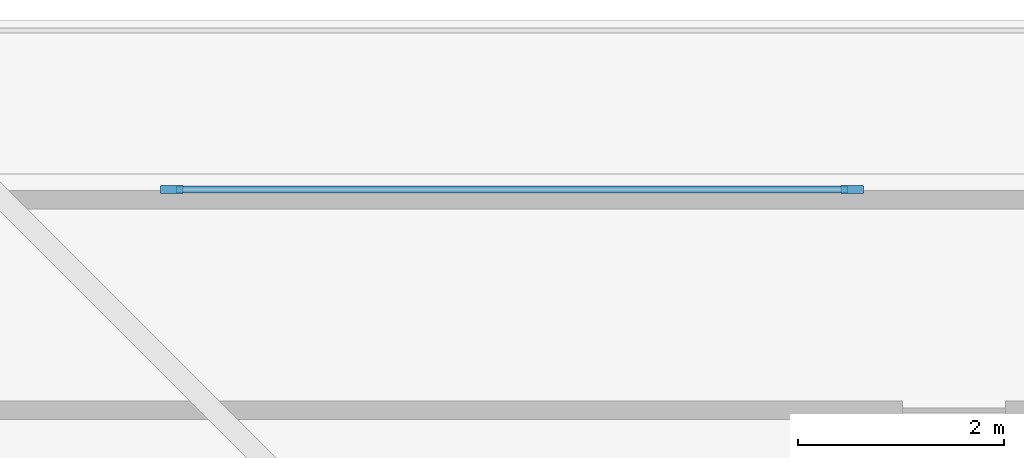
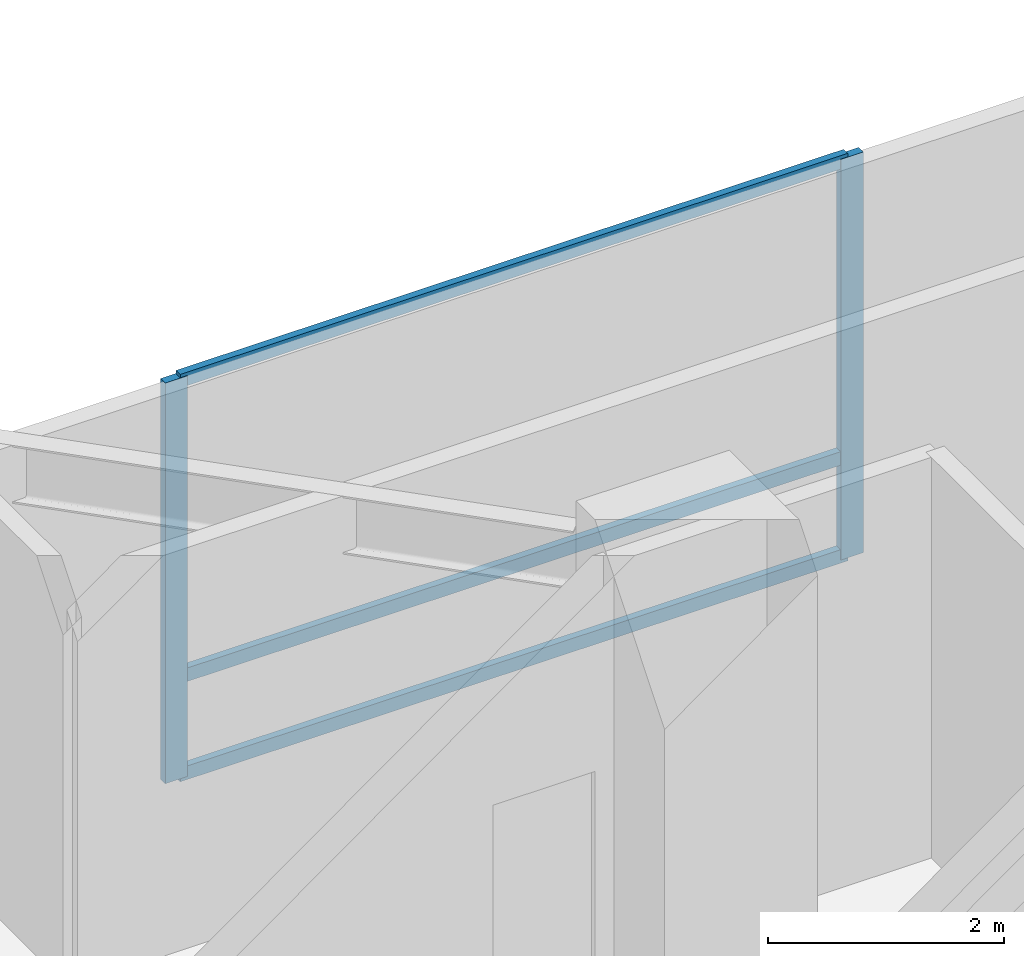
# One storey, part 8 of 20: 5 members, 1 element without a shape of its own.
"""IFC4 building model written with IfcOpenShell, lengths in metres."""

import ifcopenshell
import ifcopenshell.guid

model = None  # the IFC model being written
_history = None  # IfcOwnerHistory: only IFC2X3 demands one
_inside = {}  # id of a spatial element -> (the spatial element, [elements in it])
_under = {}  # id of a project, library or spatial element -> (it, [spatial elements below it])
_declared = {}  # id of a project -> (the project, [libraries it declares])
_typed = {}  # id of a type object -> (the type object, [elements of that type])
_made_of = {}  # id of a material, layer set ... -> (it, [elements and type objects made of it])


def new_model(schema):
    """Start an empty IFC model of exactly this schema.

    Asked for "IFC4X3", IfcOpenShell would pick the latest addendum, in which some entities
    have other attributes; the version numbers below select the first issue.
    IFC2X3 requires an IfcOwnerHistory on every rooted entity: one is made here for all.
    """
    global model, _history
    if schema == "IFC4X3":
        model = ifcopenshell.file(schema_version=(4, 3, 0, 0))
    else:
        model = ifcopenshell.file(schema=schema)
    _inside.clear()
    _under.clear()
    _declared.clear()
    _typed.clear()
    _made_of.clear()
    _history = None
    if model.schema == "IFC2X3":
        org = make("IfcOrganization", Name="unknown")
        user = make(
            "IfcPersonAndOrganization",
            ThePerson=make("IfcPerson", FamilyName="unknown"),
            TheOrganization=org,
        )
        app = make(
            "IfcApplication",
            ApplicationDeveloper=org,
            Version="unknown",
            ApplicationFullName="unknown",
            ApplicationIdentifier="unknown",
        )
        _history = make(
            "IfcOwnerHistory",
            OwningUser=user,
            OwningApplication=app,
            ChangeAction="ADDED",
            CreationDate=0,
        )
    return model


def make(cls, **values):
    """One entity of the class cls with the attributes given. An attribute that is None is left unset."""
    return model.create_entity(
        cls, **{name: value for name, value in values.items() if value is not None}
    )


def rooted(cls, **values):
    """An entity with a GlobalId (a new one), such as an element, a storey or a relation."""
    return make(cls, GlobalId=ifcopenshell.guid.new(), OwnerHistory=_history, **values)


def si_unit(unit_type, name, prefix=None):
    """IfcSIUnit, for example si_unit("LENGTHUNIT", "METRE", prefix="MILLI")."""
    return make("IfcSIUnit", UnitType=unit_type, Prefix=prefix, Name=name)


def assignment(units):
    """IfcUnitAssignment: the units of a project."""
    return None if units is None else make("IfcUnitAssignment", Units=units)


def point(xyz):
    """IfcCartesianPoint."""
    return None if xyz is None else make("IfcCartesianPoint", Coordinates=xyz)


def direction(xyz):
    """IfcDirection."""
    return None if xyz is None else make("IfcDirection", DirectionRatios=xyz)


def frame(location, z_axis=None, x_axis=None):
    """IfcAxis2Placement3D, a coordinate frame: its origin and axes. An axis left out is left unset."""
    return make(
        "IfcAxis2Placement3D",
        Location=point(location),
        Axis=direction(z_axis),
        RefDirection=direction(x_axis),
    )


def frame_2d(location, x_axis=None):
    """IfcAxis2Placement2D, a coordinate frame in the plane: its origin and x axis."""
    return make(
        "IfcAxis2Placement2D", Location=point(location), RefDirection=direction(x_axis)
    )


def origin():
    """The frame at (0, 0, 0) with its axes left unset."""
    return frame((0.0, 0.0, 0.0))


def origin_2d():
    """The frame at (0, 0) in the plane with its x axis left unset."""
    return frame_2d((0.0, 0.0))


def place(relative_to, where):
    """IfcLocalPlacement: puts the frame where relative to a parent placement (None: the world)."""
    return make(
        "IfcLocalPlacement", PlacementRelTo=relative_to, RelativePlacement=where
    )


def context(
    kind, dimensions, precision=None, world=None, true_north=None, identifier=None
):
    """IfcGeometricRepresentationContext, for example the 3D "Model" context."""
    return make(
        "IfcGeometricRepresentationContext",
        ContextIdentifier=identifier,
        ContextType=kind,
        CoordinateSpaceDimension=dimensions,
        Precision=precision,
        WorldCoordinateSystem=world,
        TrueNorth=true_north,
    )


def subcontext(parent, identifier, kind, view, scale=None):
    """IfcGeometricRepresentationSubContext, for example "Body" below "Model"."""
    return make(
        "IfcGeometricRepresentationSubContext",
        ContextIdentifier=identifier,
        ContextType=kind,
        ParentContext=parent,
        TargetScale=scale,
        TargetView=view,
    )


def project(units=None, contexts=None):
    """IfcProject with its units and contexts."""
    return rooted(
        "IfcProject",
        Name="project",
        RepresentationContexts=contexts,
        UnitsInContext=assignment(units),
    )


def spatial(cls, under=None, at=None, **own):
    """A site, building, storey or space (cls), placed at a placement, below another one or the project."""
    s = rooted(cls, ObjectPlacement=at, **own)
    if under is not None:
        _under.setdefault(under.id(), (under, []))[1].append(s)
    return s


def profile(cls, at=None, kind="AREA", **sizes):
    """A parametric profile (cls). Its sizes go by their IFC names, for example OverallWidth=200.0."""
    return make(cls, ProfileType=kind, Position=at, **sizes)


def rectangle(**sizes):
    """IfcRectangleProfileDef."""
    return profile("IfcRectangleProfileDef", **sizes)


def extrude(swept, where, along, depth):
    """IfcExtrudedAreaSolid: the profile swept, set in the frame where, extruded along a direction by depth."""
    return make(
        "IfcExtrudedAreaSolid",
        SweptArea=swept,
        Position=where,
        ExtrudedDirection=direction(along),
        Depth=depth,
    )


def shape(context_of_items, identifier, shape_type, items):
    """IfcShapeRepresentation: the items that make up one representation, for example the "Body"."""
    return make(
        "IfcShapeRepresentation",
        ContextOfItems=context_of_items,
        RepresentationIdentifier=identifier,
        RepresentationType=shape_type,
        Items=items,
    )


def source(mapping_origin, context_of_items, identifier, shape_type, items):
    """IfcRepresentationMap: a shape defined once, which mapped items show again and again."""
    return make(
        "IfcRepresentationMap",
        MappingOrigin=mapping_origin,
        MappedRepresentation=shape(context_of_items, identifier, shape_type, items),
    )


def transform(
    local_origin,
    x_axis=None,
    y_axis=None,
    z_axis=None,
    scale=None,
    scale2=None,
    scale3=None,
    uniform=True,
):
    """IfcCartesianTransformationOperator3D, or its non-uniform kind. x_axis, y_axis, z_axis: its Axis1, 2, 3."""
    if uniform:
        return make(
            "IfcCartesianTransformationOperator3D",
            Axis1=direction(x_axis),
            Axis2=direction(y_axis),
            LocalOrigin=point(local_origin),
            Scale=scale,
            Axis3=direction(z_axis),
        )
    return make(
        "IfcCartesianTransformationOperator3DnonUniform",
        Axis1=direction(x_axis),
        Axis2=direction(y_axis),
        LocalOrigin=point(local_origin),
        Scale=scale,
        Axis3=direction(z_axis),
        Scale2=scale2,
        Scale3=scale3,
    )


def mapped(mapping_source, mapping_target):
    """IfcMappedItem: shows the shape of a source again, moved by a transform."""
    return make(
        "IfcMappedItem", MappingSource=mapping_source, MappingTarget=mapping_target
    )


def material(Name=None, Category=None):
    """IfcMaterial."""
    return make("IfcMaterial", Name=Name, Category=Category)


def layer(
    of_material, thickness, ventilated=None, Name=None, Category=None, Priority=None
):
    """IfcMaterialLayer: one layer of a wall or slab, of a material (None: an air gap)."""
    return make(
        "IfcMaterialLayer",
        Material=of_material,
        LayerThickness=thickness,
        IsVentilated=ventilated,
        Name=Name,
        Category=Category,
        Priority=Priority,
    )


def layer_set(layers, Name=None):
    """IfcMaterialLayerSet."""
    return make("IfcMaterialLayerSet", MaterialLayers=layers, LayerSetName=Name)


def material_profile(
    of_material, cross_section, Name=None, Category=None, Priority=None
):
    """IfcMaterialProfile: a cross section and its material."""
    return make(
        "IfcMaterialProfile",
        Name=Name,
        Material=of_material,
        Profile=cross_section,
        Priority=Priority,
        Category=Category,
    )


def profile_set(profiles, Name=None, composite=None):
    """IfcMaterialProfileSet."""
    return make(
        "IfcMaterialProfileSet",
        Name=Name,
        MaterialProfiles=profiles,
        CompositeProfile=composite,
    )


def made_of(thing, what):
    """Note that an element or type object is made of a material, layer set ...; save() writes the relation."""
    if what is not None:
        _made_of.setdefault(what.id(), (what, []))[1].append(thing)
    return thing


def type_object(cls, material=None, **own):
    """A type object (cls), such as IfcWallType, which elements share."""
    return made_of(rooted(cls, **own), material)


def element(
    cls,
    number,
    at=None,
    inside=None,
    cuts=None,
    type_object=None,
    material=None,
    context=None,
    identifier="Body",
    shape_type=None,
    held_by="IfcProductDefinitionShape",
    body=None,
    shapes=None,
    **own,
):
    """One element of the class cls, such as IfcWall. Its Tag is "e" and its number.

    at: its placement. inside: the storey or other place that contains it. cuts: it is an
    opening in that element (IfcRelVoidsElement). A single representation is given by context,
    identifier, shape_type and body (its items); several are given by shapes. held_by: the class
    of the entity that holds the representations. save() writes the other relations.
    """
    e = rooted(cls, Tag="e%d" % number, ObjectPlacement=at, **own)
    if body is not None:
        shapes = [shape(context, identifier, shape_type, body)]
    if shapes is not None:
        e.Representation = make(held_by, Representations=shapes)
    if inside is not None:
        _inside.setdefault(inside.id(), (inside, []))[1].append(e)
    if cuts is not None:
        rooted(
            "IfcRelVoidsElement", RelatingBuildingElement=cuts, RelatedOpeningElement=e
        )
    if type_object is not None:
        _typed.setdefault(type_object.id(), (type_object, []))[1].append(e)
    return made_of(e, material)


def aggregate(whole, parts):
    """IfcRelAggregates: a whole, such as a stair, and the parts it consists of."""
    return rooted("IfcRelAggregates", RelatingObject=whole, RelatedObjects=parts)


def save(model, path):
    """Write the relations noted so far, then the file.

    IfcRelAggregates (storeys below a building ...), IfcRelContainedInSpatialStructure (elements
    in a storey), IfcRelDefinesByType, IfcRelAssociatesMaterial and IfcRelDeclares: one each for
    every whole, place, type object, material and project.
    """
    for whole, parts in _under.values():
        aggregate(whole, parts)
    for where, things in _inside.values():
        rooted(
            "IfcRelContainedInSpatialStructure",
            RelatedElements=things,
            RelatingStructure=where,
        )
    for kind, things in _typed.values():
        rooted("IfcRelDefinesByType", RelatedObjects=things, RelatingType=kind)
    for what, things in _made_of.values():
        rooted("IfcRelAssociatesMaterial", RelatedObjects=things, RelatingMaterial=what)
    for by, libraries in _declared.values():
        rooted("IfcRelDeclares", RelatingContext=by, RelatedDefinitions=libraries)
    model.write(path)


model = new_model("IFC4")

# Units and contexts
model_context = context("Model", 3, precision=1e-05, world=origin(), true_north=direction((0.0, 1.0)))
body_context = subcontext(model_context, "Body", "Model", "MODEL_VIEW")
ifc_project = project(units=[si_unit("LENGTHUNIT", "METRE"), si_unit("AREAUNIT", "SQUARE_METRE"), si_unit("VOLUMEUNIT", "CUBIC_METRE"), si_unit("PLANEANGLEUNIT", "RADIAN"), si_unit("MASSUNIT", "GRAM", prefix="KILO"), si_unit("THERMODYNAMICTEMPERATUREUNIT", "KELVIN"), si_unit("POWERUNIT", "WATT")], contexts=[model_context])

# Site, building, storey
site_placement = place(None, origin())
site = spatial("IfcSite", under=ifc_project, at=site_placement, CompositionType="ELEMENT")
building_placement = place(site_placement, origin())
building = spatial("IfcBuilding", under=site, at=building_placement, Name="Qiaomeng Ring Towers", CompositionType="ELEMENT")
storey_placement = place(building_placement, frame((0.0, 0.0, 13.800048828125)))
storey = spatial("IfcBuildingStorey", under=building, at=storey_placement, Name="L03", CompositionType="ELEMENT", Elevation=13.800048828125)

# Curtain wall, members
ifc_material = material(Name="Fluorocarbon dark-grey aluminium", Category="aluminium")
ifc_layer = layer(ifc_material, 0.179931640625, Name="Fluorocarbon dark-grey aluminium")
ifc_layer_set = layer_set([ifc_layer], Name="Fluorocarbon dark-grey aluminium")
curtain_wall_type = type_object("IfcCurtainWallType", Name="ARC-CW-1", PredefinedType="NOTDEFINED", material=ifc_layer_set)
curtain_wall_placement = place(storey_placement, origin())
curtain_wall = element("IfcCurtainWall", 1, at=curtain_wall_placement, inside=storey, type_object=curtain_wall_type, Name="L03 Curtain Wall CW1", PredefinedType="NOTDEFINED")
ifc_material_profile_1 = material_profile(ifc_material, rectangle(XDim=0.070068359375, YDim=0.139892578125, at=origin_2d()), Name="ALU TRAN 70x140")
ifc_profile_set_1 = profile_set([ifc_material_profile_1], Name="Fluorocarbon dark-grey aluminium")
member_type_1 = type_object("IfcMemberType", Name="ARC-CWT-140", PredefinedType="USERDEFINED", material=ifc_profile_set_1)
shared_shape_1 = source(origin(), body_context, "Body", "SweptSolid", [
    extrude(rectangle(XDim=0.070068359375, YDim=0.139892578125, at=origin_2d()), origin(), (0.0, 0.0, 1.0), 6.5400390625),
])
member_1_placement = place(storey_placement, frame((34.580078125, 40.35009765625, 0.034912109375), z_axis=(1.0, 0.0, 0.0), x_axis=(0.0, 1.0, 0.0)))
member_1 = element("IfcMember", 2, at=member_1_placement, type_object=member_type_1, Name="CW1 transom 1.1", ObjectType="TRANSOM", PredefinedType="USERDEFINED", context=body_context, shape_type="MappedRepresentation", body=[
    mapped(shared_shape_1, transform((0.0, 0.0, 0.0), x_axis=(1.0, 0.0, 0.0), y_axis=(0.0, 1.0, 0.0), z_axis=(0.0, 0.0, 1.0), scale=1.0)),
])
member_2_placement = place(storey_placement, frame((34.580078125, 40.35009765625, 1.050048828125), z_axis=(1.0, 0.0, 0.0), x_axis=(0.0, 1.0, 0.0)))
member_2 = element("IfcMember", 3, at=member_2_placement, type_object=member_type_1, Name="CW1 transom 1.2", ObjectType="TRANSOM", PredefinedType="USERDEFINED", context=body_context, shape_type="MappedRepresentation", body=[
    mapped(shared_shape_1, transform((0.0, 0.0, 0.0), x_axis=(1.0, 0.0, 0.0), y_axis=(0.0, 1.0, 0.0), z_axis=(0.0, 0.0, 1.0), scale=1.0)),
])
member_3_placement = place(storey_placement, frame((34.580078125, 40.35009765625, 4.114990234375), z_axis=(1.0, 0.0, 0.0), x_axis=(0.0, 1.0, 0.0)))
member_3 = element("IfcMember", 4, at=member_3_placement, type_object=member_type_1, Name="CW1 transom 1.3", ObjectType="TRANSOM", PredefinedType="USERDEFINED", context=body_context, shape_type="MappedRepresentation", body=[
    mapped(shared_shape_1, transform((0.0, 0.0, 0.0), x_axis=(1.0, 0.0, 0.0), y_axis=(0.0, 1.0, 0.0), z_axis=(0.0, 0.0, 1.0), scale=1.0)),
])
ifc_material_profile_2 = material_profile(ifc_material, rectangle(XDim=0.080078125, YDim=0.219970703125, at=origin_2d()), Name="ALU MULL 80x220")
ifc_profile_set_2 = profile_set([ifc_material_profile_2], Name="Fluorocarbon dark-grey aluminium")
member_type_2 = type_object("IfcMemberType", Name="ARC-CWM-180", PredefinedType="MULLION", material=ifc_profile_set_2)
shared_shape_2 = source(origin(), body_context, "Body", "SweptSolid", [
    extrude(rectangle(XDim=0.080078125, YDim=0.219970703125, at=origin_2d()), origin(), (0.0, 0.0, 1.0), 4.14990234375),
])
member_4_placement = place(storey_placement, frame((34.5400390625, 40.35009765625, 0.0), z_axis=(0.0, 0.0, 1.0), x_axis=(0.0, 1.0, 0.0)))
member_4 = element("IfcMember", 5, at=member_4_placement, type_object=member_type_2, Name="CW1 mullion 1", PredefinedType="MULLION", context=body_context, shape_type="MappedRepresentation", body=[
    mapped(shared_shape_2, transform((0.0, 0.0, 0.0), x_axis=(1.0, 0.0, 0.0), y_axis=(0.0, 1.0, 0.0), z_axis=(0.0, 0.0, 1.0), scale=1.0)),
])
member_5_placement = place(storey_placement, frame((41.159912109375, 40.35009765625, 0.0), z_axis=(0.0, 0.0, 1.0), x_axis=(0.0, 1.0, 0.0)))
member_5 = element("IfcMember", 6, at=member_5_placement, type_object=member_type_2, Name="CW1 mullion 2", PredefinedType="MULLION", context=body_context, shape_type="MappedRepresentation", body=[
    mapped(shared_shape_2, transform((0.0, 0.0, 0.0), x_axis=(1.0, 0.0, 0.0), y_axis=(0.0, 1.0, 0.0), z_axis=(0.0, 0.0, 1.0), scale=1.0)),
])
aggregate(curtain_wall, [member_4, member_5, member_1, member_2, member_3])

save(model, "model.ifc")
